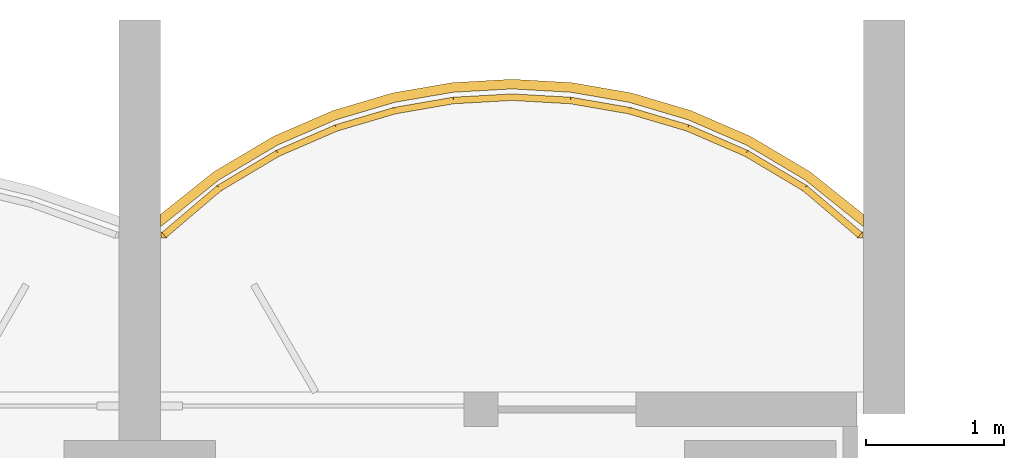
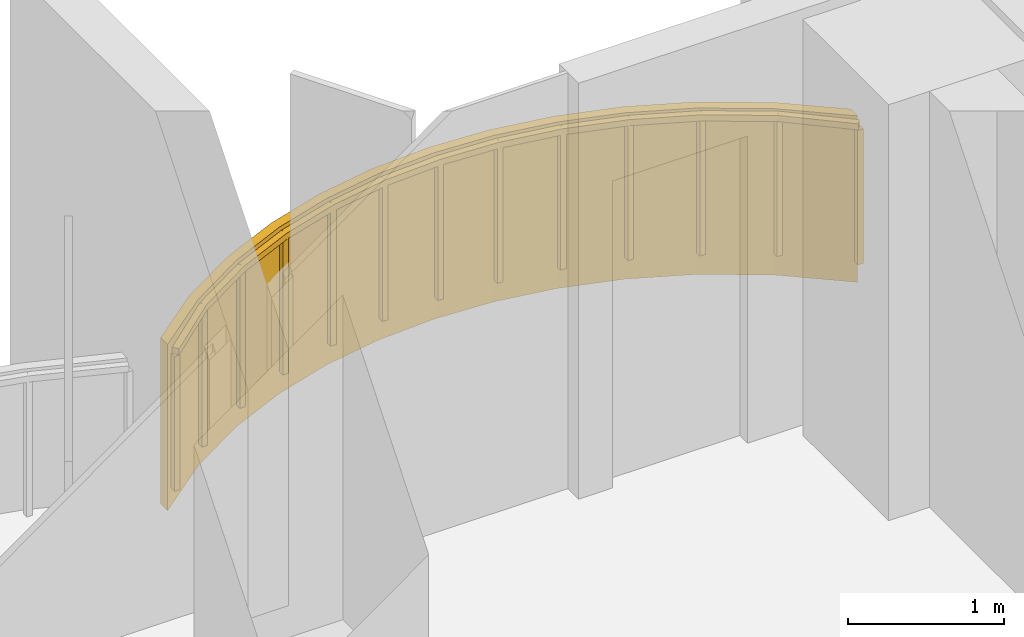
# One storey, part 19 of 19: 1 covering, 1 railing.
"""IFC4 building model written with IfcOpenShell, lengths in metres."""

from ifc_helpers import new_model, si_unit, direction, frame, origin, origin_2d, place, context, subcontext, project, spatial, polyline, rectangle, outline, extrude, material, layer, layer_set, type_object, element, save


model = new_model("IFC4")

# Units and contexts
model_context = context("Model", 3, precision=1e-05, world=origin(), true_north=direction((0.0, 1.0)))
body_context = subcontext(model_context, "Body", "Model", "MODEL_VIEW")
ifc_project = project(units=[si_unit("LENGTHUNIT", "METRE"), si_unit("AREAUNIT", "SQUARE_METRE"), si_unit("VOLUMEUNIT", "CUBIC_METRE"), si_unit("PLANEANGLEUNIT", "RADIAN"), si_unit("MASSUNIT", "GRAM", prefix="KILO")], contexts=[model_context])

# Site, building, storey
site_placement = place(None, origin())
site = spatial("IfcSite", under=ifc_project, at=site_placement, CompositionType="ELEMENT")
building_placement = place(site_placement, origin())
building = spatial("IfcBuilding", under=site, at=building_placement, Name="Perihelion Cross Residences", CompositionType="ELEMENT")
storey_placement = place(building_placement, frame((0.0, 0.0, 119.89990234375)))
storey = spatial("IfcBuildingStorey", under=building, at=storey_placement, Name="L28", CompositionType="ELEMENT", Elevation=119.89990234375)

# Covering
ifc_material_1 = material(Name="Bronze anodised aluminium", Category="aluminium")
ifc_layer = layer(ifc_material_1, 0.070068359375)
ifc_layer_set = layer_set([ifc_layer], Name="Balcony fascia 1300")
covering_type = type_object("IfcCoveringType", Name="Balcony fascia 1300", PredefinedType="CLADDING", material=ifc_layer_set)
covering_placement = place(storey_placement, frame((0.0, 0.0, -0.199951171875)))
element("IfcCovering", 1, at=covering_placement, inside=storey, type_object=covering_type, Name="Fascia BF1 L28 north tip north bay 1", PredefinedType="CLADDING", context=body_context, shape_type="SweptSolid", body=[
    extrude(outline(polyline([(4.86474609375, 28.59765625), (4.431884765625, 28.85498046875), (3.998779296875, 29.04248046875), (3.56591796875, 29.170654296875), (3.133056640625, 29.245361328125), (2.699951171875, 29.27001953125), (2.26708984375, 29.245361328125), (1.833984375, 29.170654296875), (1.401123046875, 29.04248046875), (0.96826171875, 28.85498046875), (0.53515625, 28.59765625), (0.14990234375, 28.28955078125), (0.14990234375, 28.199951171875), (0.574951171875, 28.5400390625), (1.0, 28.792724609375), (1.425048828125, 28.9765625), (1.85009765625, 29.1025390625), (2.27490234375, 29.17578125), (2.699951171875, 29.199951171875), (3.125, 29.17578125), (3.550048828125, 29.1025390625), (3.97509765625, 28.9765625), (4.39990234375, 28.792724609375), (4.824951171875, 28.5400390625), (5.25, 28.199951171875), (5.25, 28.28955078125), (4.86474609375, 28.59765625)])), origin(), (0.0, 0.0, 1.0), 1.300048828125),
])

# Railing
ifc_material_2 = material(Name="Bronze anodised aluminium", Category="aluminium")
railing_type = type_object("IfcRailingType", Name="Balcony guard 1100", PredefinedType="GUARDRAIL", material=ifc_material_2)
railing_placement = place(storey_placement, frame((5.22509765625, 28.139892578125, 0.0)))
element("IfcRailing", 2, at=railing_placement, inside=storey, type_object=railing_type, Name="Guard GU1 L28 north tip north bay 1 balcony", PredefinedType="GUARDRAIL", context=body_context, shape_type="SweptSolid", body=[
    extrude(rectangle(XDim=0.048095703125, YDim=0.048095703125, at=origin_2d()), frame((0.0, 0.0, 1.076171875), z_axis=(-0.761973728849, 0.647607934281, 0.0), x_axis=(-0.647607934281, -0.761973728849, 0.0)), (0.0, 0.0, 1.0), 0.525146484375),
    extrude(rectangle(XDim=0.048095703125, YDim=0.048095703125, at=origin_2d()), frame((-0.400146484375, 0.340087890625, 1.076171875), z_axis=(-0.859576918062, 0.511006381501, 0.0), x_axis=(-0.511006381501, -0.859576918062, 0.0)), (0.0, 0.0, 1.0), 0.494384765625),
    extrude(rectangle(XDim=0.048095703125, YDim=0.048095703125, at=origin_2d()), frame((-0.8251953125, 0.5927734375, 1.076171875), z_axis=(-0.91755562531, 0.397607437634, 0.0), x_axis=(-0.397607437634, -0.91755562531, 0.0)), (0.0, 0.0, 1.0), 0.462890625),
    extrude(rectangle(XDim=0.048095703125, YDim=0.048095703125, at=origin_2d()), frame((-1.25, 0.77685546875, 1.076171875), z_axis=(-0.958925815697, 0.283656975924, 0.0), x_axis=(-0.283656975924, -0.958925815697, 0.0)), (0.0, 0.0, 1.0), 0.443359375),
    extrude(rectangle(XDim=0.048095703125, YDim=0.048095703125, at=origin_2d()), frame((-1.675048828125, 0.902587890625, 1.076171875), z_axis=(-0.985381583142, 0.17036177859, 0.0), x_axis=(-0.17036177859, -0.985381583142, 0.0)), (0.0, 0.0, 1.0), 0.431396484375),
    extrude(rectangle(XDim=0.048095703125, YDim=0.048095703125, at=origin_2d()), frame((-2.10009765625, 0.97607421875, 1.076171875), z_axis=(-0.9984195016, 0.056200523353, 0.0), x_axis=(-0.056200523353, -0.9984195016, 0.0)), (0.0, 0.0, 1.0), 0.42578125),
    extrude(rectangle(XDim=0.048095703125, YDim=0.048095703125, at=origin_2d()), frame((-2.525146484375, 1.0, 1.076171875), z_axis=(-0.9984195016, -0.056200523353, 0.0), x_axis=(0.056200523353, -0.9984195016, 0.0)), (0.0, 0.0, 1.0), 0.42578125),
    extrude(rectangle(XDim=0.048095703125, YDim=0.048095703125, at=origin_2d()), frame((-2.9501953125, 0.97607421875, 1.076171875), z_axis=(-0.985365142702, -0.170456843651, 0.0), x_axis=(0.170456843651, -0.985365142702, 0.0)), (0.0, 0.0, 1.0), 0.43115234375),
    extrude(rectangle(XDim=0.048095703125, YDim=0.048095703125, at=origin_2d()), frame((-3.375, 0.902587890625, 1.076171875), z_axis=(-0.958925815697, -0.283656975924, 0.0), x_axis=(0.283656975924, -0.958925815697, 0.0)), (0.0, 0.0, 1.0), 0.443359375),
    extrude(rectangle(XDim=0.048095703125, YDim=0.048095703125, at=origin_2d()), frame((-3.800048828125, 0.77685546875, 1.076171875), z_axis=(-0.917638931453, -0.397415137459, 0.0), x_axis=(0.397415137459, -0.917638931453, 0.0)), (0.0, 0.0, 1.0), 0.463134765625),
    extrude(rectangle(XDim=0.048095703125, YDim=0.048095703125, at=origin_2d()), frame((-4.22509765625, 0.5927734375, 1.076171875), z_axis=(-0.859576918062, -0.511006381501, 0.0), x_axis=(0.511006381501, -0.859576918062, 0.0)), (0.0, 0.0, 1.0), 0.494384765625),
    extrude(rectangle(XDim=0.048095703125, YDim=0.048095703125, at=origin_2d()), frame((-4.650146484375, 0.340087890625, 1.076171875), z_axis=(-0.761778647315, -0.647837396648, 0.0), x_axis=(0.647837396648, -0.761778647315, 0.0)), (0.0, 0.0, 1.0), 0.52490234375),
    extrude(rectangle(XDim=0.0419921875, YDim=0.0419921875, at=origin_2d()), origin(), (0.0, 0.0, 1.0), 1.052001953125),
    extrude(rectangle(XDim=0.0419921875, YDim=0.0419921875, at=origin_2d()), frame((-0.400146484375, 0.340087890625, 0.0)), (0.0, 0.0, 1.0), 1.052001953125),
    extrude(rectangle(XDim=0.0419921875, YDim=0.0419921875, at=origin_2d()), frame((-0.8251953125, 0.5927734375, 0.0)), (0.0, 0.0, 1.0), 1.052001953125),
    extrude(rectangle(XDim=0.0419921875, YDim=0.0419921875, at=origin_2d()), frame((-1.25, 0.77685546875, 0.0)), (0.0, 0.0, 1.0), 1.052001953125),
    extrude(rectangle(XDim=0.0419921875, YDim=0.0419921875, at=origin_2d()), frame((-1.675048828125, 0.902587890625, 0.0)), (0.0, 0.0, 1.0), 1.052001953125),
    extrude(rectangle(XDim=0.0419921875, YDim=0.0419921875, at=origin_2d()), frame((-2.10009765625, 0.97607421875, 0.0)), (0.0, 0.0, 1.0), 1.052001953125),
    extrude(rectangle(XDim=0.0419921875, YDim=0.0419921875, at=origin_2d()), frame((-2.525146484375, 1.0, 0.0)), (0.0, 0.0, 1.0), 1.052001953125),
    extrude(rectangle(XDim=0.0419921875, YDim=0.0419921875, at=origin_2d()), frame((-2.9501953125, 0.97607421875, 0.0)), (0.0, 0.0, 1.0), 1.052001953125),
    extrude(rectangle(XDim=0.0419921875, YDim=0.0419921875, at=origin_2d()), frame((-3.375, 0.902587890625, 0.0)), (0.0, 0.0, 1.0), 1.052001953125),
    extrude(rectangle(XDim=0.0419921875, YDim=0.0419921875, at=origin_2d()), frame((-3.800048828125, 0.77685546875, 0.0)), (0.0, 0.0, 1.0), 1.052001953125),
    extrude(rectangle(XDim=0.0419921875, YDim=0.0419921875, at=origin_2d()), frame((-4.22509765625, 0.5927734375, 0.0)), (0.0, 0.0, 1.0), 1.052001953125),
    extrude(rectangle(XDim=0.0419921875, YDim=0.0419921875, at=origin_2d()), frame((-4.650146484375, 0.340087890625, 0.0)), (0.0, 0.0, 1.0), 1.052001953125),
    extrude(rectangle(XDim=0.0419921875, YDim=0.0419921875, at=origin_2d()), frame((-5.050048828125, 0.0, 0.0)), (0.0, 0.0, 1.0), 1.052001953125),
])

save(model, "model.ifc")
